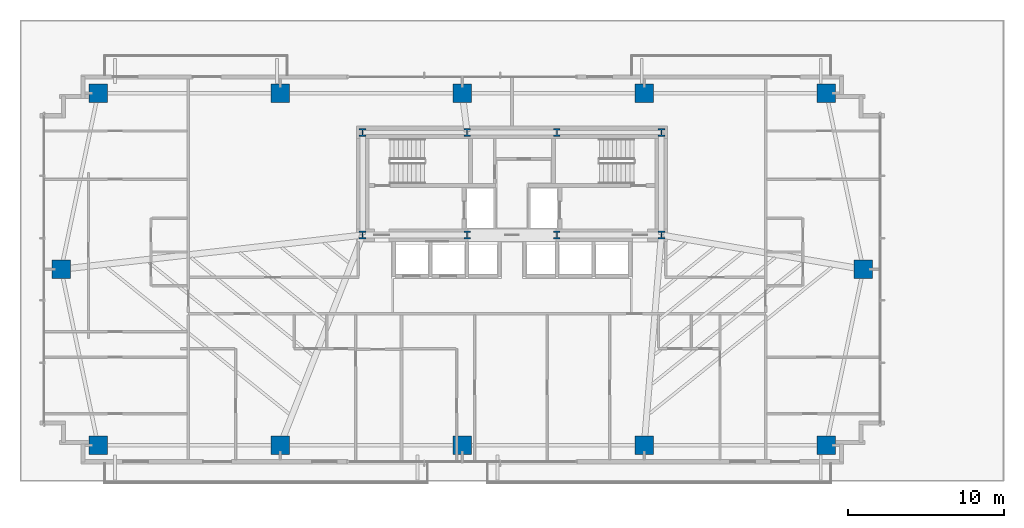
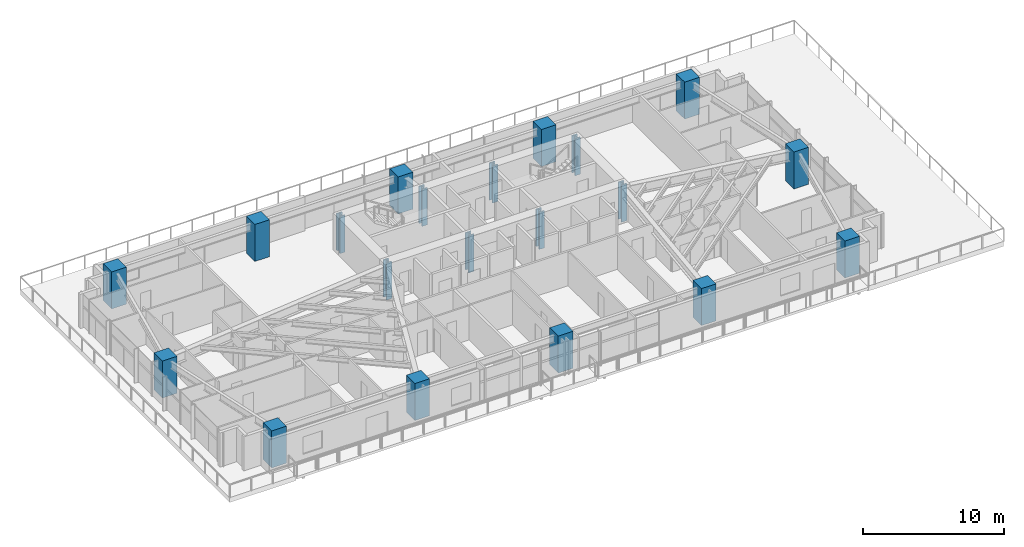
# One storey, part 1 of 26: 20 columns.
"""IFC4 building model written with IfcOpenShell, lengths in metres."""

from ifc_helpers import new_model, si_unit, direction, frame, origin, origin_2d, place, context, subcontext, project, spatial, rectangle, i_section, extrude, source, transform, mapped, material, material_profile, profile_set, type_object, type_shapes, element, save


model = new_model("IFC4")

# Units and contexts
model_context = context("Model", 3, precision=1e-05, world=origin(), true_north=direction((0.0, 1.0)))
body_context = subcontext(model_context, "Body", "Model", "MODEL_VIEW")
ifc_project = project(units=[si_unit("LENGTHUNIT", "METRE"), si_unit("AREAUNIT", "SQUARE_METRE"), si_unit("VOLUMEUNIT", "CUBIC_METRE"), si_unit("PLANEANGLEUNIT", "RADIAN"), si_unit("MASSUNIT", "GRAM", prefix="KILO")], contexts=[model_context])

# Site, building, storey
site_placement = place(None, origin())
site = spatial("IfcSite", under=ifc_project, at=site_placement, CompositionType="ELEMENT")
building_placement = place(site_placement, origin())
building = spatial("IfcBuilding", under=site, at=building_placement, Name="Astriad Promenade Condominiums", CompositionType="ELEMENT")
storey_placement = place(building_placement, frame((0.0, 0.0, 23.0)))
storey = spatial("IfcBuildingStorey", under=building, at=storey_placement, Name="L05", CompositionType="ELEMENT", Elevation=23.0)

# Columns
ifc_material_1 = material(Name="Steel ASTM A992 Grade 50", Category="steel")
ifc_material_profile_1 = material_profile(ifc_material_1, i_section(OverallWidth=0.43701171875, OverallDepth=0.51416015625, WebThickness=0.060546875, FlangeThickness=0.096923828125, FilletRadius=0.017822265625, at=origin_2d()), Name="W14X550")
ifc_profile_set_1 = profile_set([ifc_material_profile_1], Name="Steel ASTM A992 Grade 50")
column_type_1 = type_object("IfcColumnType", Name="STEEL CORE PILASTER W14X550", PredefinedType="PILASTER", material=ifc_profile_set_1)
shared_shape_1 = source(origin(), body_context, "Body", "SweptSolid", [
    extrude(i_section(OverallWidth=0.43701171875, OverallDepth=0.51416015625, WebThickness=0.060546875, FlangeThickness=0.096923828125, FilletRadius=0.017822265625, at=origin_2d()), origin(), (0.0, 0.0, 1.0), 3.196044921875),
])
type_shapes(column_type_1, [shared_shape_1])
for number, where, z_axis, x_axis, name in (
    (1, (26.39990234375, 17.39990234375, 0.001953125), (0.0, 0.0, 1.0), (1.0, 0.0, 0.0), "Core Pilaster Column CP1 (L05)"),
    (2, (33.1201171875, 17.39990234375, 0.001953125), (0.0, 0.0, 1.0), (1.0, 0.0, 0.0), "Core Pilaster Column CP2 (L05)"),
    (3, (38.8798828125, 17.39990234375, 0.001953125), (0.0, 0.0, 1.0), (1.0, 0.0, 0.0), "Core Pilaster Column CP3 (L05)"),
    (4, (45.60009765625, 17.39990234375, 0.001953125), (0.0, 0.0, 1.0), (1.0, 0.0, 0.0), "Core Pilaster Column CP4 (L05)"),
    (5, (26.39990234375, 24.0, 0.001953125), (0.0, 0.0, 1.0), (1.0, 0.0, 0.0), "Core Pilaster Column CP5 (L05)"),
    (6, (33.1201171875, 24.0, 0.001953125), (0.0, 0.0, 1.0), (1.0, 0.0, 0.0), "Core Pilaster Column CP6 (L05)"),
    (7, (38.8798828125, 24.0, 0.001953125), (0.0, 0.0, 1.0), (1.0, 0.0, 0.0), "Core Pilaster Column CP7 (L05)"),
    (8, (45.60009765625, 24.0, 0.001953125), (0.0, 0.0, 1.0), (1.0, 0.0, 0.0), "Core Pilaster Column CP8 (L05)"),
):
    element("IfcColumn", number, at=place(storey_placement, frame(where, z_axis=z_axis, x_axis=x_axis)), inside=storey, type_object=column_type_1, Name=name, PredefinedType="PILASTER", context=body_context, shape_type="MappedRepresentation", body=[
        mapped(shared_shape_1, transform((0.0, 0.0, 0.0), scale=1.0)),
    ])
ifc_material_2 = material(Name="Concrete C80/95", Category="concrete")
ifc_material_profile_2 = material_profile(ifc_material_2, rectangle(XDim=1.199951171875, YDim=1.199951171875, at=origin_2d()), Name="RC-COL-1200X1200")
ifc_profile_set_2 = profile_set([ifc_material_profile_2], Name="Concrete C80/95")
column_type_2 = type_object("IfcColumnType", Name="CONCRETE MEGA COLUMN 1200X1200", PredefinedType="COLUMN", material=ifc_profile_set_2)
shared_shape_2 = source(origin(), body_context, "Body", "SweptSolid", [
    extrude(rectangle(XDim=1.199951171875, YDim=1.199951171875, at=origin_2d()), origin(), (0.0, 0.0, 1.0), 3.194091796875),
])
type_shapes(column_type_2, [shared_shape_2])
for number, where, z_axis, x_axis, name in (
    (9, (9.39990234375, 3.8798828125, 0.00390625), (0.0, 0.0, 1.0), (1.0, 0.0, 0.0), "Perimeter Column PC01 (L05)"),
    (10, (21.10009765625, 3.8798828125, 0.00390625), (0.0, 0.0, 1.0), (1.0, 0.0, 0.0), "Perimeter Column PC02 (L05)"),
    (11, (32.800048828125, 3.8798828125, 0.00390625), (0.0, 0.0, 1.0), (1.0, 0.0, 0.0), "Perimeter Column PC03 (L05)"),
    (12, (44.5, 3.8798828125, 0.00390625), (0.0, 0.0, 1.0), (1.0, 0.0, 0.0), "Perimeter Column PC04 (L05)"),
    (13, (56.199951171875, 3.8798828125, 0.00390625), (0.0, 0.0, 1.0), (1.0, 0.0, 0.0), "Perimeter Column PC05 (L05)"),
    (14, (9.39990234375, 26.52001953125, 0.00390625), (0.0, 0.0, 1.0), (1.0, 0.0, 0.0), "Perimeter Column PC06 (L05)"),
    (15, (21.10009765625, 26.52001953125, 0.00390625), (0.0, 0.0, 1.0), (1.0, 0.0, 0.0), "Perimeter Column PC07 (L05)"),
    (16, (32.800048828125, 26.52001953125, 0.00390625), (0.0, 0.0, 1.0), (1.0, 0.0, 0.0), "Perimeter Column PC08 (L05)"),
    (17, (44.5, 26.52001953125, 0.00390625), (0.0, 0.0, 1.0), (1.0, 0.0, 0.0), "Perimeter Column PC09 (L05)"),
    (18, (56.199951171875, 26.52001953125, 0.00390625), (0.0, 0.0, 1.0), (1.0, 0.0, 0.0), "Perimeter Column PC10 (L05)"),
    (19, (7.02001953125, 15.199951171875, 0.00390625), (0.0, 0.0, 1.0), (1.0, 0.0, 0.0), "Perimeter Column PC11 (L05)"),
    (20, (58.580078125, 15.199951171875, 0.00390625), (0.0, 0.0, 1.0), (1.0, 0.0, 0.0), "Perimeter Column PC12 (L05)"),
):
    element("IfcColumn", number, at=place(storey_placement, frame(where, z_axis=z_axis, x_axis=x_axis)), inside=storey, type_object=column_type_2, Name=name, PredefinedType="COLUMN", context=body_context, shape_type="MappedRepresentation", body=[
        mapped(shared_shape_2, transform((0.0, 0.0, 0.0), scale=1.0)),
    ])

save(model, "model.ifc")
